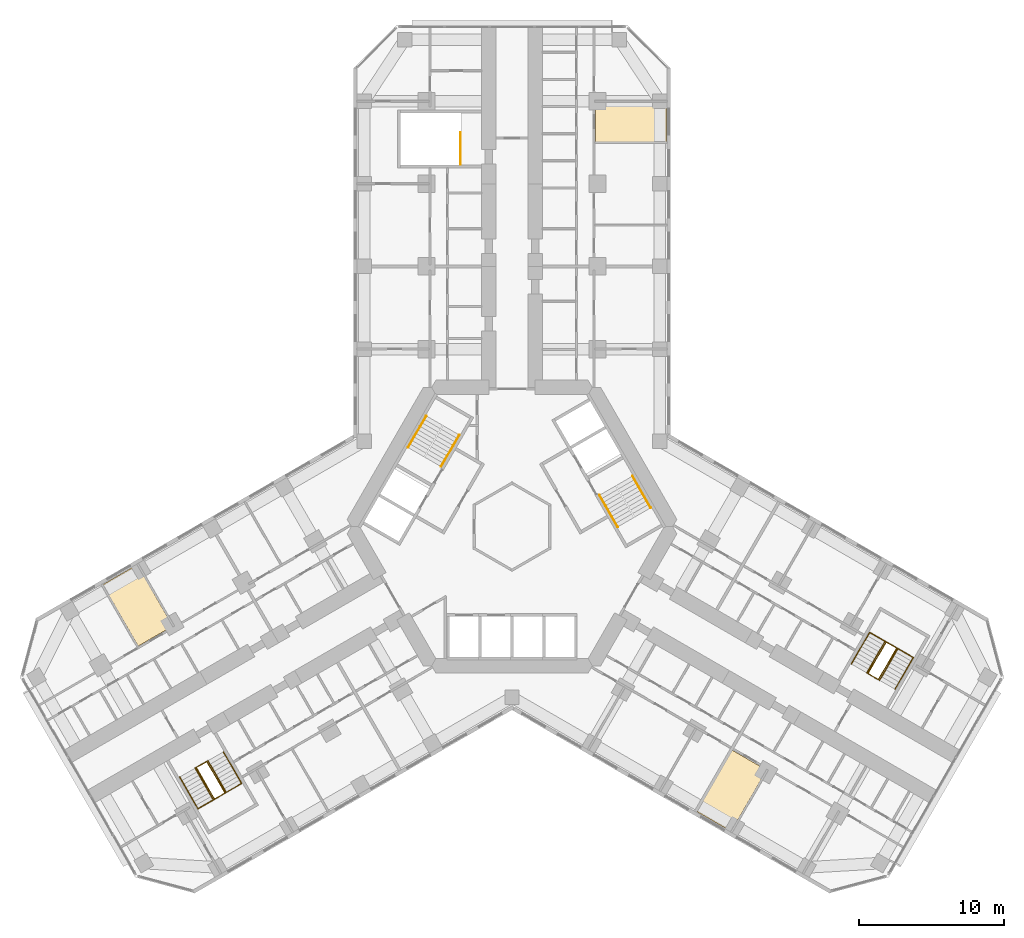
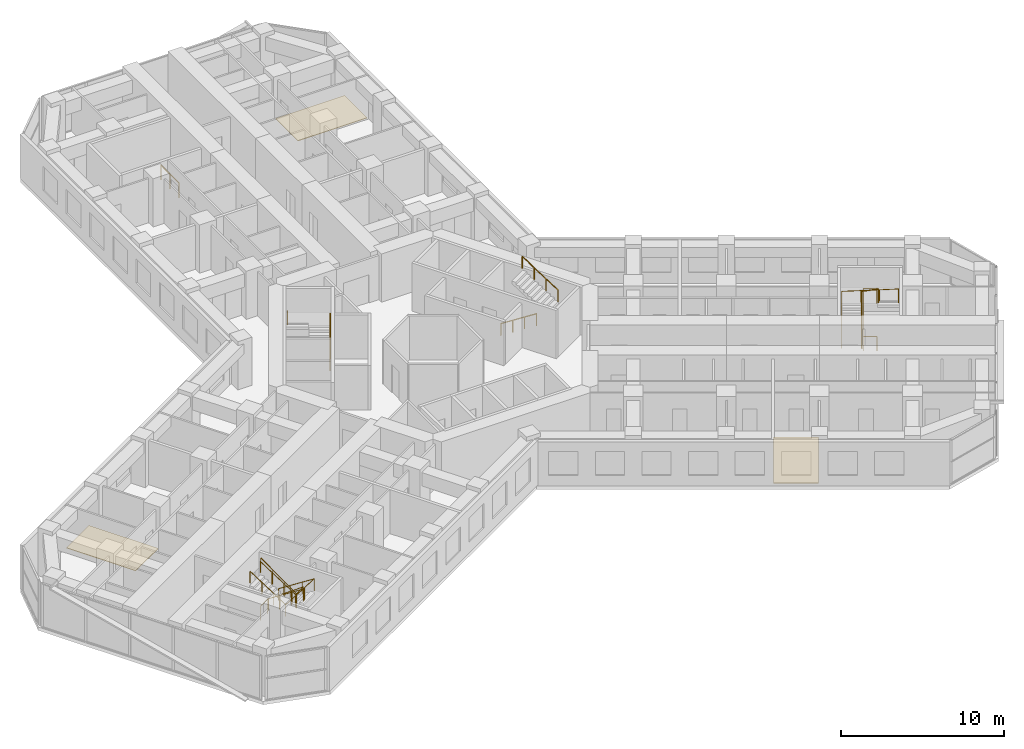
# One storey, part 21 of 21: 11 railings, 3 coverings.
"""IFC4 building model written with IfcOpenShell, lengths in metres."""

from ifc_helpers import new_model, si_unit, direction, frame, origin, origin_2d, place, context, subcontext, project, spatial, polyline, circle, outline, extrude, material, layer, layer_set, type_object, element, save


model = new_model("IFC4")

# Units and contexts
model_context = context("Model", 3, precision=1e-05, world=origin(), true_north=direction((0.0, 1.0)))
body_context = subcontext(model_context, "Body", "Model", "MODEL_VIEW")
ifc_project = project(units=[si_unit("LENGTHUNIT", "METRE"), si_unit("AREAUNIT", "SQUARE_METRE"), si_unit("VOLUMEUNIT", "CUBIC_METRE"), si_unit("PLANEANGLEUNIT", "RADIAN"), si_unit("MASSUNIT", "GRAM", prefix="KILO")], contexts=[model_context])

# Site, building, storey
site_placement = place(None, origin())
site = spatial("IfcSite", under=ifc_project, at=site_placement, CompositionType="ELEMENT")
building_placement = place(site_placement, origin())
building = spatial("IfcBuilding", under=site, at=building_placement, Name="Kosmar Iwan School Tower", CompositionType="ELEMENT")
storey_placement = place(building_placement, frame((0.0, 0.0, 109.60009765625)))
storey = spatial("IfcBuildingStorey", under=building, at=storey_placement, Name="L27", CompositionType="ELEMENT", Elevation=109.60009765625)

# Railings
ifc_material_1 = material(Name="Black steel", Category="steel")
railing_type_1 = type_object("IfcRailingType", Name="Stair handrail 900", PredefinedType="HANDRAIL", material=ifc_material_1)
railing_1_placement = place(storey_placement, frame((-4.89453125, 4.142333984375, 0.179931640625)))
element("IfcRailing", 1, at=railing_1_placement, inside=storey, type_object=railing_type_1, Name="Handrail ST2 flight 1", PredefinedType="HANDRAIL", context=body_context, shape_type="SweptSolid", body=[
    extrude(circle(Radius=0.02392578125, at=origin_2d()), frame((0.0, 0.0, 0.8759765625), z_axis=(0.42060268101, 0.72849590497, 0.54072830624), x_axis=(-0.866022637375, 0.500004791531, 0.0)), (0.0, 0.0, 1.0), 2.99560546875),
    extrude(circle(Radius=0.02099609375, at=origin_2d()), origin(), (0.0, 0.0, 1.0), 0.851806640625),
    extrude(circle(Radius=0.02099609375, at=origin_2d()), frame((0.419921875, 0.7275390625, 0.5400390625)), (0.0, 0.0, 1.0), 0.851806640625),
    extrude(circle(Radius=0.02099609375, at=origin_2d()), frame((0.840087890625, 1.454833984375, 1.079833984375)), (0.0, 0.0, 1.0), 0.851806640625),
    extrude(circle(Radius=0.02099609375, at=origin_2d()), frame((1.260009765625, 2.182373046875, 1.619873046875)), (0.0, 0.0, 1.0), 0.851806640625),
])
railing_2_placement = place(storey_placement, frame((-5.912353515625, 7.6396484375, 1.97998046875)))
element("IfcRailing", 2, at=railing_2_placement, inside=storey, type_object=railing_type_1, Name="Handrail ST2 flight 2", PredefinedType="HANDRAIL", context=body_context, shape_type="SweptSolid", body=[
    extrude(circle(Radius=0.02392578125, at=origin_2d()), frame((0.0, 0.0, 0.8759765625), z_axis=(-0.42060268101, -0.72849590497, 0.54072830624), x_axis=(0.866022637375, -0.500004791531, 0.0)), (0.0, 0.0, 1.0), 2.99560546875),
    extrude(circle(Radius=0.02099609375, at=origin_2d()), origin(), (0.0, 0.0, 1.0), 0.851806640625),
    extrude(circle(Radius=0.02099609375, at=origin_2d()), frame((-0.419921875, -0.7275390625, 0.5400390625)), (0.0, 0.0, 1.0), 0.851806640625),
    extrude(circle(Radius=0.02099609375, at=origin_2d()), frame((-0.840087890625, -1.454833984375, 1.079833984375)), (0.0, 0.0, 1.0), 0.851806640625),
    extrude(circle(Radius=0.02099609375, at=origin_2d()), frame((-1.260009765625, -2.182373046875, 1.619873046875)), (0.0, 0.0, 1.0), 0.851806640625),
])
railing_3_placement = place(storey_placement, frame((6.03466796875, 2.167724609375, 0.179931640625)))
element("IfcRailing", 3, at=railing_3_placement, inside=storey, type_object=railing_type_1, Name="Handrail ST1 flight 1", PredefinedType="HANDRAIL", context=body_context, shape_type="SweptSolid", body=[
    extrude(circle(Radius=0.02392578125, at=origin_2d()), frame((0.0, 0.0, 0.8759765625), z_axis=(0.42060268101, -0.72849590497, 0.54072830624), x_axis=(0.866022637375, 0.500004791531, 0.0)), (0.0, 0.0, 1.0), 2.99560546875),
    extrude(circle(Radius=0.02099609375, at=origin_2d()), origin(), (0.0, 0.0, 1.0), 0.851806640625),
    extrude(circle(Radius=0.02099609375, at=origin_2d()), frame((0.419921875, -0.7275390625, 0.5400390625)), (0.0, 0.0, 1.0), 0.851806640625),
    extrude(circle(Radius=0.02099609375, at=origin_2d()), frame((0.840087890625, -1.454833984375, 1.079833984375)), (0.0, 0.0, 1.0), 0.851806640625),
    extrude(circle(Radius=0.02099609375, at=origin_2d()), frame((1.260009765625, -2.182373046875, 1.619873046875)), (0.0, 0.0, 1.0), 0.851806640625),
])
railing_4_placement = place(storey_placement, frame((9.572265625, 1.30029296875, 1.97998046875)))
element("IfcRailing", 4, at=railing_4_placement, inside=storey, type_object=railing_type_1, Name="Handrail ST1 flight 2", PredefinedType="HANDRAIL", context=body_context, shape_type="SweptSolid", body=[
    extrude(circle(Radius=0.02392578125, at=origin_2d()), frame((0.0, 0.0, 0.8759765625), z_axis=(-0.42060268101, 0.72849590497, 0.54072830624), x_axis=(-0.866022637375, -0.500004791531, 0.0)), (0.0, 0.0, 1.0), 2.99560546875),
    extrude(circle(Radius=0.02099609375, at=origin_2d()), origin(), (0.0, 0.0, 1.0), 0.851806640625),
    extrude(circle(Radius=0.02099609375, at=origin_2d()), frame((-0.419921875, 0.7275390625, 0.5400390625)), (0.0, 0.0, 1.0), 0.851806640625),
    extrude(circle(Radius=0.02099609375, at=origin_2d()), frame((-0.840087890625, 1.454833984375, 1.079833984375)), (0.0, 0.0, 1.0), 0.851806640625),
    extrude(circle(Radius=0.02099609375, at=origin_2d()), frame((-1.260009765625, 2.182373046875, 1.619873046875)), (0.0, 0.0, 1.0), 0.851806640625),
])
railing_5_placement = place(storey_placement, frame((-19.9091796875, -15.5361328125, 0.179931640625)))
element("IfcRailing", 5, at=railing_5_placement, inside=storey, type_object=railing_type_1, Name="Handrail stair WS2 L27 wall side", PredefinedType="HANDRAIL", context=body_context, shape_type="SweptSolid", body=[
    extrude(circle(Radius=0.02392578125, at=origin_2d()), frame((0.0, 0.0, 0.8759765625), z_axis=(0.420535598452, -0.728520874915, 0.540746840257), x_axis=(0.866064587494, 0.499932125682, 0.0)), (0.0, 0.0, 1.0), 2.99560546875),
    extrude(circle(Radius=0.02392578125, at=origin_2d()), frame((1.259765625, -2.182373046875, 2.49560546875), z_axis=(-0.864861221286, -0.499341050235, 0.051706706198), x_axis=(0.500009906705, -0.86601968407, 0.0)), (0.0, 0.0, 1.0), 3.484619140625),
    extrude(circle(Radius=0.02392578125, at=origin_2d()), frame((-1.75390625, -3.92236328125, 2.67578125), z_axis=(-0.42060268101, 0.72849590497, 0.54072830624), x_axis=(-0.866022637375, -0.500004791531, 0.0)), (0.0, 0.0, 1.0), 2.99560546875),
    extrude(circle(Radius=0.02099609375, at=origin_2d()), origin(), (0.0, 0.0, 1.0), 0.851806640625),
    extrude(circle(Radius=0.02099609375, at=origin_2d()), frame((0.419921875, -0.7275390625, 0.5400390625)), (0.0, 0.0, 1.0), 0.851806640625),
    extrude(circle(Radius=0.02099609375, at=origin_2d()), frame((0.83984375, -1.454833984375, 1.079833984375)), (0.0, 0.0, 1.0), 0.851806640625),
    extrude(circle(Radius=0.02099609375, at=origin_2d()), frame((1.259765625, -2.182373046875, 1.619873046875)), (0.0, 0.0, 1.0), 0.851806640625),
    extrude(circle(Radius=0.02099609375, at=origin_2d()), frame((0.255126953125, -2.762451171875, 1.679931640625)), (0.0, 0.0, 1.0), 0.851806640625),
    extrude(circle(Radius=0.02099609375, at=origin_2d()), frame((-0.749267578125, -3.34228515625, 1.739990234375)), (0.0, 0.0, 1.0), 0.851806640625),
    extrude(circle(Radius=0.02099609375, at=origin_2d()), frame((-1.75390625, -3.92236328125, 1.800048828125)), (0.0, 0.0, 1.0), 0.851806640625),
    extrude(circle(Radius=0.02099609375, at=origin_2d()), frame((-2.173828125, -3.19482421875, 2.340087890625)), (0.0, 0.0, 1.0), 0.851806640625),
    extrude(circle(Radius=0.02099609375, at=origin_2d()), frame((-2.593994140625, -2.467529296875, 2.8798828125)), (0.0, 0.0, 1.0), 0.851806640625),
    extrude(circle(Radius=0.02099609375, at=origin_2d()), frame((-3.013916015625, -1.739990234375, 3.419921875)), (0.0, 0.0, 1.0), 0.851806640625),
])
railing_6_placement = place(storey_placement, frame((-20.974609375, -16.151123046875, 0.179931640625)))
element("IfcRailing", 6, at=railing_6_placement, inside=storey, type_object=railing_type_1, Name="Handrail stair WS2 L27 well side", PredefinedType="HANDRAIL", context=body_context, shape_type="SweptSolid", body=[
    extrude(circle(Radius=0.02392578125, at=origin_2d()), frame((0.0, 0.0, 0.8759765625), z_axis=(0.42060268101, -0.72849590497, 0.54072830624), x_axis=(0.866022637375, 0.500004791531, 0.0)), (0.0, 0.0, 1.0), 2.99560546875),
    extrude(circle(Radius=0.02392578125, at=origin_2d()), frame((1.260009765625, -2.182373046875, 2.49560546875), z_axis=(-0.852806573049, -0.492402689635, 0.173955569627), x_axis=(0.500026340207, -0.866010195725, 0.0)), (0.0, 0.0, 1.0), 1.03564453125),
    extrude(circle(Radius=0.02392578125, at=origin_2d()), frame((0.376708984375, -2.6923828125, 2.67578125), z_axis=(-0.42060268101, 0.72849590497, 0.54072830624), x_axis=(-0.866022637375, -0.500004791531, 0.0)), (0.0, 0.0, 1.0), 2.99560546875),
    extrude(circle(Radius=0.02099609375, at=origin_2d()), origin(), (0.0, 0.0, 1.0), 0.851806640625),
    extrude(circle(Radius=0.02099609375, at=origin_2d()), frame((0.419921875, -0.7275390625, 0.5400390625)), (0.0, 0.0, 1.0), 0.851806640625),
    extrude(circle(Radius=0.02099609375, at=origin_2d()), frame((0.840087890625, -1.454833984375, 1.079833984375)), (0.0, 0.0, 1.0), 0.851806640625),
    extrude(circle(Radius=0.02099609375, at=origin_2d()), frame((1.260009765625, -2.182373046875, 1.619873046875)), (0.0, 0.0, 1.0), 0.851806640625),
    extrude(circle(Radius=0.02099609375, at=origin_2d()), frame((0.376708984375, -2.6923828125, 1.800048828125)), (0.0, 0.0, 1.0), 0.851806640625),
    extrude(circle(Radius=0.02099609375, at=origin_2d()), frame((-0.043212890625, -1.96484375, 2.340087890625)), (0.0, 0.0, 1.0), 0.851806640625),
    extrude(circle(Radius=0.02099609375, at=origin_2d()), frame((-0.46337890625, -1.237548828125, 2.8798828125)), (0.0, 0.0, 1.0), 0.851806640625),
    extrude(circle(Radius=0.02099609375, at=origin_2d()), frame((-0.88330078125, -0.510009765625, 3.419921875)), (0.0, 0.0, 1.0), 0.851806640625),
])
railing_7_placement = place(storey_placement, frame((23.4091796875, -9.473876953125, 0.179931640625)))
element("IfcRailing", 7, at=railing_7_placement, inside=storey, type_object=railing_type_1, Name="Handrail stair WS3 L27 wall side", PredefinedType="HANDRAIL", context=body_context, shape_type="SweptSolid", body=[
    extrude(circle(Radius=0.02392578125, at=origin_2d()), frame((0.0, 0.0, 0.8759765625), z_axis=(0.42060268101, 0.72849590497, 0.54072830624), x_axis=(-0.866022637375, 0.500004791531, 0.0)), (0.0, 0.0, 1.0), 2.99560546875),
    extrude(circle(Radius=0.02392578125, at=origin_2d()), frame((1.260009765625, 2.182373046875, 2.49560546875), z_axis=(0.864878876685, -0.499310794179, 0.051703573187), x_axis=(0.499979528911, 0.866037222451, 0.0)), (0.0, 0.0, 1.0), 3.48486328125),
    extrude(circle(Radius=0.02392578125, at=origin_2d()), frame((4.27392578125, 0.4423828125, 2.67578125), z_axis=(-0.42060268101, -0.72849590497, 0.54072830624), x_axis=(0.866022637375, -0.500004791531, 0.0)), (0.0, 0.0, 1.0), 2.99560546875),
    extrude(circle(Radius=0.02099609375, at=origin_2d()), origin(), (0.0, 0.0, 1.0), 0.851806640625),
    extrude(circle(Radius=0.02099609375, at=origin_2d()), frame((0.419921875, 0.7275390625, 0.5400390625)), (0.0, 0.0, 1.0), 0.851806640625),
    extrude(circle(Radius=0.02099609375, at=origin_2d()), frame((0.840087890625, 1.454833984375, 1.079833984375)), (0.0, 0.0, 1.0), 0.851806640625),
    extrude(circle(Radius=0.02099609375, at=origin_2d()), frame((1.260009765625, 2.182373046875, 1.619873046875)), (0.0, 0.0, 1.0), 0.851806640625),
    extrude(circle(Radius=0.02099609375, at=origin_2d()), frame((2.2646484375, 1.602294921875, 1.679931640625)), (0.0, 0.0, 1.0), 0.851806640625),
    extrude(circle(Radius=0.02099609375, at=origin_2d()), frame((3.269287109375, 1.0224609375, 1.739990234375)), (0.0, 0.0, 1.0), 0.851806640625),
    extrude(circle(Radius=0.02099609375, at=origin_2d()), frame((4.27392578125, 0.4423828125, 1.800048828125)), (0.0, 0.0, 1.0), 0.851806640625),
    extrude(circle(Radius=0.02099609375, at=origin_2d()), frame((3.85400390625, -0.28515625, 2.340087890625)), (0.0, 0.0, 1.0), 0.851806640625),
    extrude(circle(Radius=0.02099609375, at=origin_2d()), frame((3.433837890625, -1.012451171875, 2.8798828125)), (0.0, 0.0, 1.0), 0.851806640625),
    extrude(circle(Radius=0.02099609375, at=origin_2d()), frame((3.013916015625, -1.739990234375, 3.419921875)), (0.0, 0.0, 1.0), 0.851806640625),
])
railing_8_placement = place(storey_placement, frame((24.474609375, -10.0888671875, 0.179931640625)))
element("IfcRailing", 8, at=railing_8_placement, inside=storey, type_object=railing_type_1, Name="Handrail stair WS3 L27 well side", PredefinedType="HANDRAIL", context=body_context, shape_type="SweptSolid", body=[
    extrude(circle(Radius=0.02392578125, at=origin_2d()), frame((0.0, 0.0, 0.8759765625), z_axis=(0.42060268101, 0.72849590497, 0.54072830624), x_axis=(-0.866022637375, 0.500004791531, 0.0)), (0.0, 0.0, 1.0), 2.99560546875),
    extrude(circle(Radius=0.02392578125, at=origin_2d()), frame((1.260009765625, 2.182373046875, 2.49560546875), z_axis=(0.852806573049, -0.492402689635, 0.173955569627), x_axis=(0.500026340207, 0.866010195725, 0.0)), (0.0, 0.0, 1.0), 1.03564453125),
    extrude(circle(Radius=0.02392578125, at=origin_2d()), frame((2.143310546875, 1.67236328125, 2.67578125), z_axis=(-0.42060268101, -0.72849590497, 0.54072830624), x_axis=(0.866022637375, -0.500004791531, 0.0)), (0.0, 0.0, 1.0), 2.99560546875),
    extrude(circle(Radius=0.02099609375, at=origin_2d()), origin(), (0.0, 0.0, 1.0), 0.851806640625),
    extrude(circle(Radius=0.02099609375, at=origin_2d()), frame((0.419921875, 0.7275390625, 0.5400390625)), (0.0, 0.0, 1.0), 0.851806640625),
    extrude(circle(Radius=0.02099609375, at=origin_2d()), frame((0.840087890625, 1.454833984375, 1.079833984375)), (0.0, 0.0, 1.0), 0.851806640625),
    extrude(circle(Radius=0.02099609375, at=origin_2d()), frame((1.260009765625, 2.182373046875, 1.619873046875)), (0.0, 0.0, 1.0), 0.851806640625),
    extrude(circle(Radius=0.02099609375, at=origin_2d()), frame((2.143310546875, 1.67236328125, 1.800048828125)), (0.0, 0.0, 1.0), 0.851806640625),
    extrude(circle(Radius=0.02099609375, at=origin_2d()), frame((1.723388671875, 0.94482421875, 2.340087890625)), (0.0, 0.0, 1.0), 0.851806640625),
    extrude(circle(Radius=0.02099609375, at=origin_2d()), frame((1.30322265625, 0.217529296875, 2.8798828125)), (0.0, 0.0, 1.0), 0.851806640625),
    extrude(circle(Radius=0.02099609375, at=origin_2d()), frame((0.88330078125, -0.510009765625, 3.419921875)), (0.0, 0.0, 1.0), 0.851806640625),
])
ifc_material_2 = material(Name="Black steel", Category="steel")
railing_type_2 = type_object("IfcRailingType", Name="Stair well guard 1100", PredefinedType="GUARDRAIL", material=ifc_material_2)
railing_9_placement = place(storey_placement, frame((-3.550048828125, 25.0, 0.0)))
element("IfcRailing", 9, at=railing_9_placement, inside=storey, type_object=railing_type_2, Name="Stair WS1 well guard", PredefinedType="GUARDRAIL", context=body_context, shape_type="SweptSolid", body=[
    extrude(circle(Radius=0.02392578125, at=origin_2d()), frame((0.0, 0.0, 1.076171875), z_axis=(0.0, 1.0, 0.0), x_axis=(-1.0, 0.0, 0.0)), (0.0, 0.0, 1.0), 2.199951171875),
    extrude(circle(Radius=0.02099609375, at=origin_2d()), origin(), (0.0, 0.0, 1.0), 1.052001953125),
    extrude(circle(Radius=0.02099609375, at=origin_2d()), frame((0.0, 1.10009765625, 0.0)), (0.0, 0.0, 1.0), 1.052001953125),
    extrude(circle(Radius=0.02099609375, at=origin_2d()), frame((0.0, 2.199951171875, 0.0)), (0.0, 0.0, 1.0), 1.052001953125),
])
railing_10_placement = place(storey_placement, frame((-21.780029296875, -16.6162109375, 0.0)))
element("IfcRailing", 10, at=railing_10_placement, inside=storey, type_object=railing_type_2, Name="Stair WS2 L27 well guard", PredefinedType="GUARDRAIL", context=body_context, shape_type="SweptSolid", body=[
    extrude(circle(Radius=0.02392578125, at=origin_2d()), frame((0.0, 0.0, 1.076171875), z_axis=(0.865962960534, 0.500108139288, 0.0), x_axis=(-0.500108139288, 0.865962960534, 0.0)), (0.0, 0.0, 1.0), 0.840087890625),
    extrude(circle(Radius=0.02392578125, at=origin_2d()), frame((0.7275390625, 0.420166015625, 1.076171875), z_axis=(0.406885297737, -0.704737003773, 0.581197135229), x_axis=(0.866022637375, 0.500004791531, 0.0)), (0.0, 0.0, 1.0), 3.0966796875),
    extrude(circle(Radius=0.02392578125, at=origin_2d()), frame((1.987548828125, -1.76220703125, 2.8759765625), z_axis=(-0.865962960534, -0.500108139288, 0.0), x_axis=(0.500108139288, -0.865962960534, 0.0)), (0.0, 0.0, 1.0), 0.840087890625),
    extrude(circle(Radius=0.02392578125, at=origin_2d()), frame((1.260009765625, -2.182373046875, 2.8759765625), z_axis=(-0.40686665399, 0.704704712268, 0.58124933925), x_axis=(-0.866022637375, -0.500004791531, 0.0)), (0.0, 0.0, 1.0), 3.096923828125),
    extrude(circle(Radius=0.02099609375, at=origin_2d()), origin(), (0.0, 0.0, 1.0), 1.052001953125),
    extrude(circle(Radius=0.02099609375, at=origin_2d()), frame((0.7275390625, 0.420166015625, 0.0)), (0.0, 0.0, 1.0), 1.052001953125),
    extrude(circle(Radius=0.02099609375, at=origin_2d()), frame((1.1474609375, -0.307373046875, 0.599853515625)), (0.0, 0.0, 1.0), 1.052001953125),
    extrude(circle(Radius=0.02099609375, at=origin_2d()), frame((1.567626953125, -1.03466796875, 1.199951171875)), (0.0, 0.0, 1.0), 1.052001953125),
    extrude(circle(Radius=0.02099609375, at=origin_2d()), frame((1.987548828125, -1.76220703125, 1.7998046875)), (0.0, 0.0, 1.0), 1.052001953125),
    extrude(circle(Radius=0.02099609375, at=origin_2d()), frame((1.260009765625, -2.182373046875, 1.7998046875)), (0.0, 0.0, 1.0), 1.052001953125),
    extrude(circle(Radius=0.02099609375, at=origin_2d()), frame((0.840087890625, -1.454833984375, 2.39990234375)), (0.0, 0.0, 1.0), 1.052001953125),
    extrude(circle(Radius=0.02099609375, at=origin_2d()), frame((0.419921875, -0.7275390625, 2.999755859375)), (0.0, 0.0, 1.0), 1.052001953125),
    extrude(circle(Radius=0.02099609375, at=origin_2d()), frame((0.0, 0.0, 3.599853515625)), (0.0, 0.0, 1.0), 1.052001953125),
])
railing_11_placement = place(storey_placement, frame((25.280029296875, -10.553955078125, 0.0)))
element("IfcRailing", 11, at=railing_11_placement, inside=storey, type_object=railing_type_2, Name="Stair WS3 L27 well guard", PredefinedType="GUARDRAIL", context=body_context, shape_type="SweptSolid", body=[
    extrude(circle(Radius=0.02392578125, at=origin_2d()), frame((0.0, 0.0, 1.076171875), z_axis=(-0.865962960534, 0.500108139288, 0.0), x_axis=(-0.500108139288, -0.865962960534, 0.0)), (0.0, 0.0, 1.0), 0.840087890625),
    extrude(circle(Radius=0.02392578125, at=origin_2d()), frame((-0.7275390625, 0.420166015625, 1.076171875), z_axis=(0.406885297737, 0.704737003773, 0.581197135229), x_axis=(-0.866022637375, 0.500004791531, 0.0)), (0.0, 0.0, 1.0), 3.0966796875),
    extrude(circle(Radius=0.02392578125, at=origin_2d()), frame((0.532470703125, 2.6025390625, 2.8759765625), z_axis=(0.865890253765, -0.500234013672, 0.0), x_axis=(0.500234013672, 0.865890253765, 0.0)), (0.0, 0.0, 1.0), 0.83984375),
    extrude(circle(Radius=0.02392578125, at=origin_2d()), frame((1.259765625, 2.182373046875, 2.8759765625), z_axis=(-0.406800866334, -0.70472731476, 0.58126798207), x_axis=(0.866064587494, -0.499932125682, 0.0)), (0.0, 0.0, 1.0), 3.0966796875),
    extrude(circle(Radius=0.02099609375, at=origin_2d()), origin(), (0.0, 0.0, 1.0), 1.052001953125),
    extrude(circle(Radius=0.02099609375, at=origin_2d()), frame((-0.7275390625, 0.420166015625, 0.0)), (0.0, 0.0, 1.0), 1.052001953125),
    extrude(circle(Radius=0.02099609375, at=origin_2d()), frame((-0.3076171875, 1.147705078125, 0.599853515625)), (0.0, 0.0, 1.0), 1.052001953125),
    extrude(circle(Radius=0.02099609375, at=origin_2d()), frame((0.112548828125, 1.875, 1.199951171875)), (0.0, 0.0, 1.0), 1.052001953125),
    extrude(circle(Radius=0.02099609375, at=origin_2d()), frame((0.532470703125, 2.6025390625, 1.7998046875)), (0.0, 0.0, 1.0), 1.052001953125),
    extrude(circle(Radius=0.02099609375, at=origin_2d()), frame((1.259765625, 2.182373046875, 1.7998046875)), (0.0, 0.0, 1.0), 1.052001953125),
    extrude(circle(Radius=0.02099609375, at=origin_2d()), frame((0.83984375, 1.454833984375, 2.39990234375)), (0.0, 0.0, 1.0), 1.052001953125),
    extrude(circle(Radius=0.02099609375, at=origin_2d()), frame((0.419921875, 0.7275390625, 2.999755859375)), (0.0, 0.0, 1.0), 1.052001953125),
    extrude(circle(Radius=0.02099609375, at=origin_2d()), frame((0.0, 0.0, 3.599853515625)), (0.0, 0.0, 1.0), 1.052001953125),
])

# Coverings
ifc_material_3 = material(Name="Honed limestone on mortar bed", Category="masonry")
ifc_layer = layer(ifc_material_3, 0.0400390625)
ifc_layer_set = layer_set([ifc_layer], Name="Winter garden stone flooring 40")
covering_type = type_object("IfcCoveringType", Name="Winter garden stone flooring 40", PredefinedType="FLOORING", material=ifc_layer_set)
covering_1_placement = place(storey_placement, origin())
element("IfcCovering", 12, at=covering_1_placement, inside=storey, type_object=covering_type, Name="Winter garden flooring L27-AR2-F3", PredefinedType="FLOORING", context=body_context, shape_type="SweptSolid", body=[
    extrude(outline(polyline([(5.760009765625, 26.550048828125), (10.64990234375, 26.550048828125), (10.64990234375, 29.300048828125), (5.760009765625, 29.300048828125), (5.760009765625, 26.550048828125)])), origin(), (0.0, 0.0, 1.0), 0.039794921875),
])
covering_2_placement = place(storey_placement, origin())
element("IfcCovering", 13, at=covering_2_placement, inside=storey, type_object=covering_type, Name="Winter garden flooring L27-BR2-F2", PredefinedType="FLOORING", context=body_context, shape_type="SweptSolid", body=[
    extrude(outline(polyline([(-25.786376953125, -8.236572265625), (-23.40478515625, -6.861572265625), (-25.849853515625, -2.626708984375), (-28.2314453125, -4.001708984375), (-25.786376953125, -8.236572265625)])), origin(), (0.0, 0.0, 1.0), 0.039794921875),
])
covering_3_placement = place(storey_placement, origin())
element("IfcCovering", 14, at=covering_3_placement, inside=storey, type_object=covering_type, Name="Winter garden flooring L27-CR2-F1", PredefinedType="FLOORING", context=body_context, shape_type="SweptSolid", body=[
    extrude(outline(polyline([(15.11328125, -21.023193359375), (17.55810546875, -16.788330078125), (15.176513671875, -15.413330078125), (12.731689453125, -19.648193359375), (15.11328125, -21.023193359375)])), origin(), (0.0, 0.0, 1.0), 0.039794921875),
])

save(model, "model.ifc")
